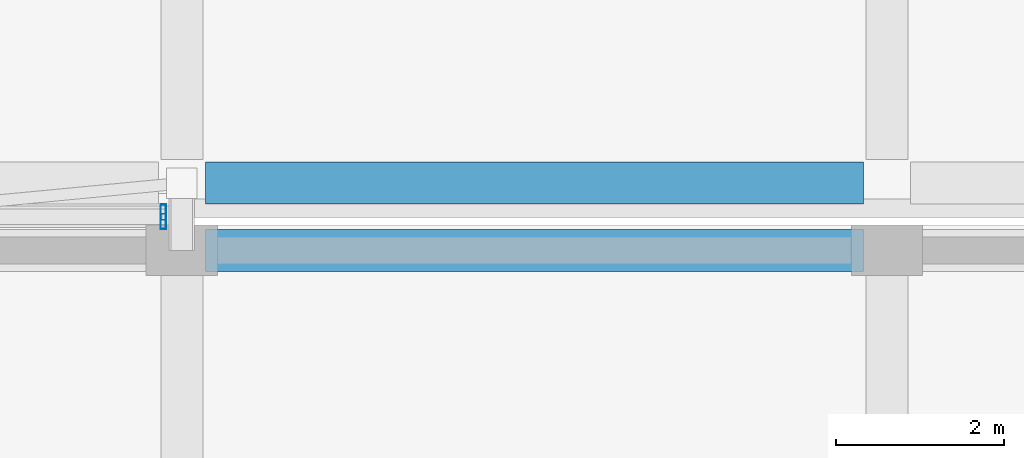
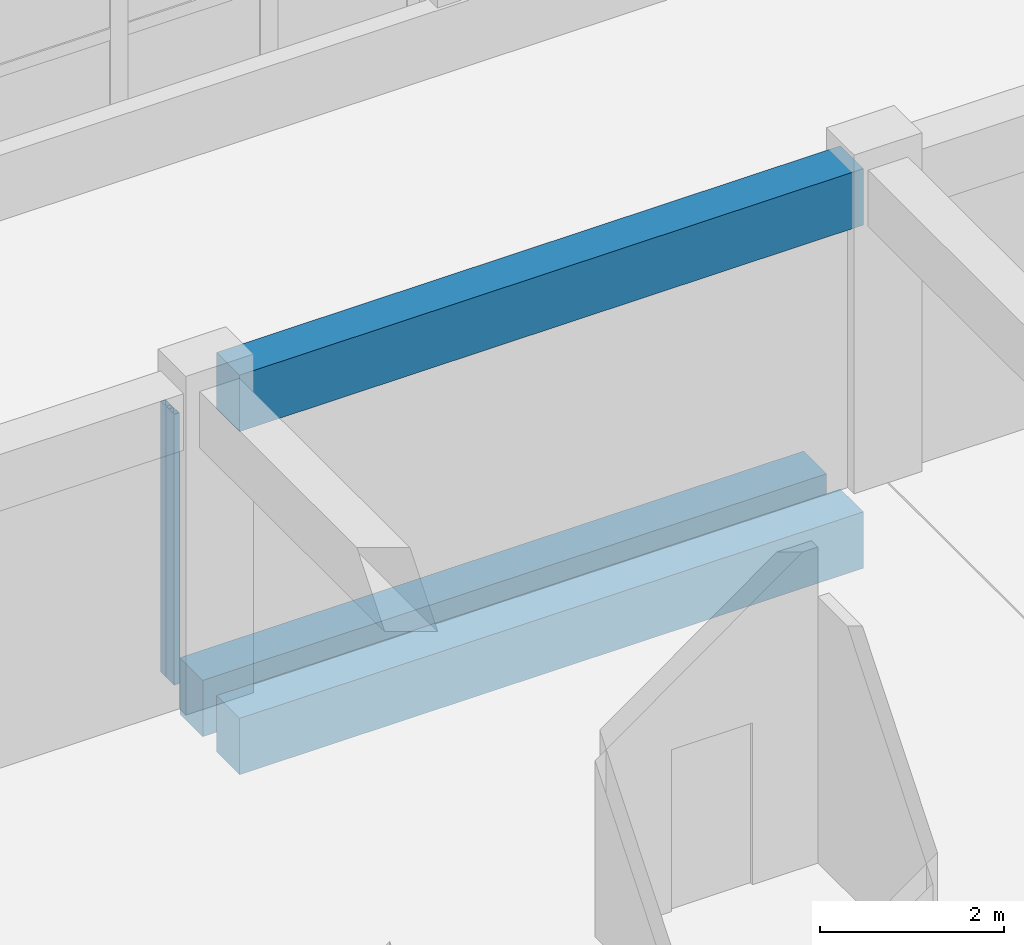
# One storey, part 20 of 129: 3 beams, 2 members, 1 element without a shape of its own.
"""IFC4 building model written with IfcOpenShell, lengths in metres."""

from ifc_helpers import new_model, si_unit, direction, frame, origin, origin_2d, place, context, subcontext, project, spatial, rectangle, hollow_rectangle, extrude, material, layer, layer_set, material_profile, profile_set, type_object, element, aggregate, save


model = new_model("IFC4")

# Units and contexts
model_context = context("Model", 3, precision=1e-05, world=origin(), true_north=direction((0.0, 1.0)))
body_context = subcontext(model_context, "Body", "Model", "MODEL_VIEW")
ifc_project = project(units=[si_unit("LENGTHUNIT", "METRE"), si_unit("AREAUNIT", "SQUARE_METRE"), si_unit("VOLUMEUNIT", "CUBIC_METRE"), si_unit("PLANEANGLEUNIT", "RADIAN"), si_unit("MASSUNIT", "GRAM", prefix="KILO")], contexts=[model_context])

# Site, building, storey
site_placement = place(None, origin())
site = spatial("IfcSite", under=ifc_project, at=site_placement, CompositionType="ELEMENT")
building_placement = place(site_placement, origin())
building = spatial("IfcBuilding", under=site, at=building_placement, Name="Xazarin Passage Department Store", CompositionType="ELEMENT")
storey_placement = place(building_placement, frame((0.0, 0.0, 9.89990234375)))
storey = spatial("IfcBuildingStorey", under=building, at=storey_placement, Name="L02", CompositionType="ELEMENT", Elevation=9.89990234375)

# Curtain wall, members
ifc_material_1 = material(Name="Bronze anodised aluminium", Category="aluminium")
ifc_layer = layer(ifc_material_1, 0.14990234375)
ifc_layer_set = layer_set([ifc_layer], Name="Bronze anodised aluminium")
curtain_wall_type = type_object("IfcCurtainWallType", Name="ARC-CW-BRG1", PredefinedType="NOTDEFINED", material=ifc_layer_set)
curtain_wall_placement = place(storey_placement, origin())
curtain_wall = element("IfcCurtainWall", 1, at=curtain_wall_placement, inside=storey, type_object=curtain_wall_type, Name="L02 BR-V1-V3 Bridge Curtain Wall 2", PredefinedType="NOTDEFINED")
ifc_material_profile_1 = material_profile(ifc_material_1, hollow_rectangle(XDim=0.06494140625, YDim=0.179931640625, WallThickness=0.00390625, at=origin_2d()), Name="ALU 65x180")
ifc_profile_set_1 = profile_set([ifc_material_profile_1], Name="Bronze anodised aluminium")
member_type = type_object("IfcMemberType", Name="ARC-CWM-65x180", PredefinedType="MULLION", material=ifc_profile_set_1)
member_1_placement = place(storey_placement, frame((33.3798828125, 50.742431640625, 0.0), z_axis=(0.0, 0.0, 1.0), x_axis=(-1.0, 0.0, 0.0)))
member_1 = element("IfcMember", 2, at=member_1_placement, type_object=member_type, Name="CW7 mullion 1", PredefinedType="MULLION", context=body_context, shape_type="SweptSolid", body=[
    extrude(hollow_rectangle(XDim=0.06494140625, YDim=0.179931640625, WallThickness=0.00390625, at=origin_2d()), origin(), (0.0, 0.0, 1.0), 3.60009765625),
])
member_2_placement = place(storey_placement, frame((33.3798828125, 50.857421875, 0.0), z_axis=(0.0, 0.0, 1.0), x_axis=(-1.0, 0.0, 0.0)))
member_2 = element("IfcMember", 3, at=member_2_placement, type_object=member_type, Name="CW7 mullion 2", PredefinedType="MULLION", context=body_context, shape_type="SweptSolid", body=[
    extrude(hollow_rectangle(XDim=0.06494140625, YDim=0.179931640625, WallThickness=0.00390625, at=origin_2d()), origin(), (0.0, 0.0, 1.0), 3.60009765625),
])
aggregate(curtain_wall, [member_1, member_2])

# Beams
ifc_material_2 = material(Name="Concrete C35/45", Category="concrete")
ifc_material_profile_2 = material_profile(ifc_material_2, rectangle(XDim=0.5, YDim=0.75, at=origin_2d()), Name="RC 500x750")
ifc_profile_set_2 = profile_set([ifc_material_profile_2], Name="Concrete C35/45")
beam_type = type_object("IfcBeamType", Name="STR-BM-SP500x750", PredefinedType="SPANDREL", material=ifc_profile_set_2)
for number, where, z_axis, x_axis, name in (
    (4, (33.8798828125, 51.199951171875, -0.6748046875), (1.0, 0.0, 0.0), (0.0, 1.0, 0.0), "L02 Grid Beam H/5-6"),
    (5, (33.8798828125, 50.39990234375, -0.69482421875), (1.0, 0.0, 0.0), (0.0, 1.0, 0.0), "L02 Grid Beam G/5-6"),
    (6, (33.8798828125, 50.39990234375, 3.864990234375), (1.0, 0.0, 0.0), (0.0, 1.0, 0.0), "L02 Grid Beam G/5-6"),
):
    element("IfcBeam", number, at=place(storey_placement, frame(where, z_axis=z_axis, x_axis=x_axis)), inside=storey, type_object=beam_type, Name=name, PredefinedType="SPANDREL", context=body_context, shape_type="SweptSolid", body=[
        extrude(rectangle(XDim=0.5, YDim=0.75, at=origin_2d()), origin(), (0.0, 0.0, 1.0), 7.840087890625),
    ])

save(model, "model.ifc")
